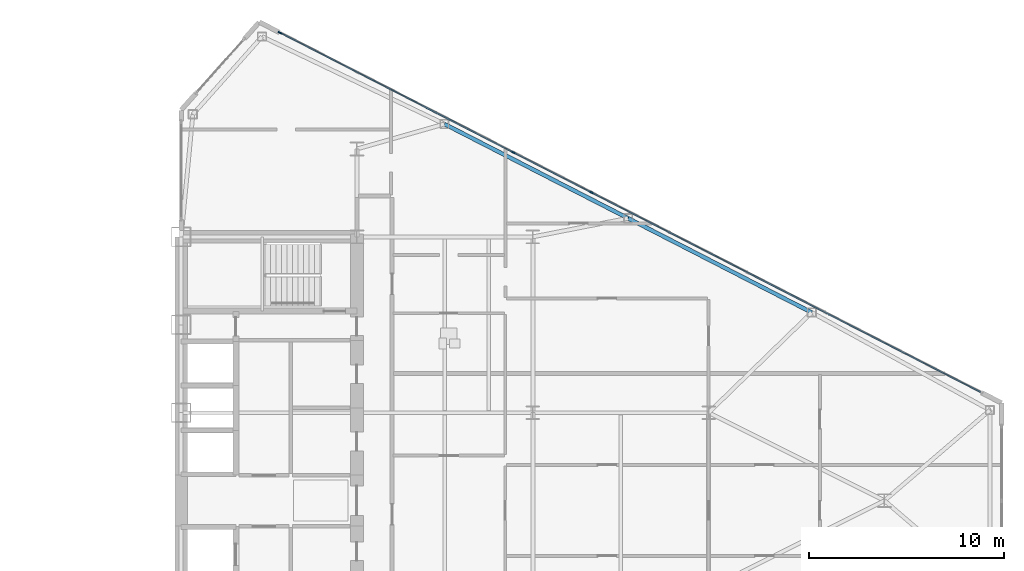
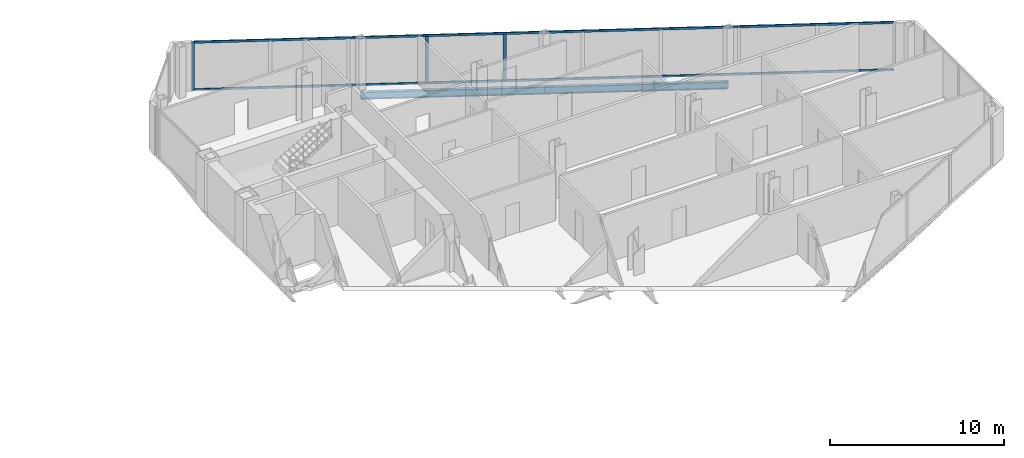
# One storey, part 12 of 24: 5 members, 2 beams, 1 element without a shape of its own.
"""IFC4 building model written with IfcOpenShell, lengths in metres."""

import ifcopenshell
import ifcopenshell.guid

model = None  # the IFC model being written
_history = None  # IfcOwnerHistory: only IFC2X3 demands one
_inside = {}  # id of a spatial element -> (the spatial element, [elements in it])
_under = {}  # id of a project, library or spatial element -> (it, [spatial elements below it])
_declared = {}  # id of a project -> (the project, [libraries it declares])
_typed = {}  # id of a type object -> (the type object, [elements of that type])
_made_of = {}  # id of a material, layer set ... -> (it, [elements and type objects made of it])


def new_model(schema):
    """Start an empty IFC model of exactly this schema.

    Asked for "IFC4X3", IfcOpenShell would pick the latest addendum, in which some entities
    have other attributes; the version numbers below select the first issue.
    IFC2X3 requires an IfcOwnerHistory on every rooted entity: one is made here for all.
    """
    global model, _history
    if schema == "IFC4X3":
        model = ifcopenshell.file(schema_version=(4, 3, 0, 0))
    else:
        model = ifcopenshell.file(schema=schema)
    _inside.clear()
    _under.clear()
    _declared.clear()
    _typed.clear()
    _made_of.clear()
    _history = None
    if model.schema == "IFC2X3":
        org = make("IfcOrganization", Name="unknown")
        user = make(
            "IfcPersonAndOrganization",
            ThePerson=make("IfcPerson", FamilyName="unknown"),
            TheOrganization=org,
        )
        app = make(
            "IfcApplication",
            ApplicationDeveloper=org,
            Version="unknown",
            ApplicationFullName="unknown",
            ApplicationIdentifier="unknown",
        )
        _history = make(
            "IfcOwnerHistory",
            OwningUser=user,
            OwningApplication=app,
            ChangeAction="ADDED",
            CreationDate=0,
        )
    return model


def make(cls, **values):
    """One entity of the class cls with the attributes given. An attribute that is None is left unset."""
    return model.create_entity(
        cls, **{name: value for name, value in values.items() if value is not None}
    )


def rooted(cls, **values):
    """An entity with a GlobalId (a new one), such as an element, a storey or a relation."""
    return make(cls, GlobalId=ifcopenshell.guid.new(), OwnerHistory=_history, **values)


def si_unit(unit_type, name, prefix=None):
    """IfcSIUnit, for example si_unit("LENGTHUNIT", "METRE", prefix="MILLI")."""
    return make("IfcSIUnit", UnitType=unit_type, Prefix=prefix, Name=name)


def assignment(units):
    """IfcUnitAssignment: the units of a project."""
    return None if units is None else make("IfcUnitAssignment", Units=units)


def point(xyz):
    """IfcCartesianPoint."""
    return None if xyz is None else make("IfcCartesianPoint", Coordinates=xyz)


def direction(xyz):
    """IfcDirection."""
    return None if xyz is None else make("IfcDirection", DirectionRatios=xyz)


def frame(location, z_axis=None, x_axis=None):
    """IfcAxis2Placement3D, a coordinate frame: its origin and axes. An axis left out is left unset."""
    return make(
        "IfcAxis2Placement3D",
        Location=point(location),
        Axis=direction(z_axis),
        RefDirection=direction(x_axis),
    )


def frame_2d(location, x_axis=None):
    """IfcAxis2Placement2D, a coordinate frame in the plane: its origin and x axis."""
    return make(
        "IfcAxis2Placement2D", Location=point(location), RefDirection=direction(x_axis)
    )


def origin():
    """The frame at (0, 0, 0) with its axes left unset."""
    return frame((0.0, 0.0, 0.0))


def origin_2d():
    """The frame at (0, 0) in the plane with its x axis left unset."""
    return frame_2d((0.0, 0.0))


def place(relative_to, where):
    """IfcLocalPlacement: puts the frame where relative to a parent placement (None: the world)."""
    return make(
        "IfcLocalPlacement", PlacementRelTo=relative_to, RelativePlacement=where
    )


def context(
    kind, dimensions, precision=None, world=None, true_north=None, identifier=None
):
    """IfcGeometricRepresentationContext, for example the 3D "Model" context."""
    return make(
        "IfcGeometricRepresentationContext",
        ContextIdentifier=identifier,
        ContextType=kind,
        CoordinateSpaceDimension=dimensions,
        Precision=precision,
        WorldCoordinateSystem=world,
        TrueNorth=true_north,
    )


def subcontext(parent, identifier, kind, view, scale=None):
    """IfcGeometricRepresentationSubContext, for example "Body" below "Model"."""
    return make(
        "IfcGeometricRepresentationSubContext",
        ContextIdentifier=identifier,
        ContextType=kind,
        ParentContext=parent,
        TargetScale=scale,
        TargetView=view,
    )


def project(units=None, contexts=None):
    """IfcProject with its units and contexts."""
    return rooted(
        "IfcProject",
        Name="project",
        RepresentationContexts=contexts,
        UnitsInContext=assignment(units),
    )


def spatial(cls, under=None, at=None, **own):
    """A site, building, storey or space (cls), placed at a placement, below another one or the project."""
    s = rooted(cls, ObjectPlacement=at, **own)
    if under is not None:
        _under.setdefault(under.id(), (under, []))[1].append(s)
    return s


def profile(cls, at=None, kind="AREA", **sizes):
    """A parametric profile (cls). Its sizes go by their IFC names, for example OverallWidth=200.0."""
    return make(cls, ProfileType=kind, Position=at, **sizes)


def rectangle(**sizes):
    """IfcRectangleProfileDef."""
    return profile("IfcRectangleProfileDef", **sizes)


def i_section(**sizes):
    """IfcIShapeProfileDef."""
    return profile("IfcIShapeProfileDef", **sizes)


def extrude(swept, where, along, depth):
    """IfcExtrudedAreaSolid: the profile swept, set in the frame where, extruded along a direction by depth."""
    return make(
        "IfcExtrudedAreaSolid",
        SweptArea=swept,
        Position=where,
        ExtrudedDirection=direction(along),
        Depth=depth,
    )


def shape(context_of_items, identifier, shape_type, items):
    """IfcShapeRepresentation: the items that make up one representation, for example the "Body"."""
    return make(
        "IfcShapeRepresentation",
        ContextOfItems=context_of_items,
        RepresentationIdentifier=identifier,
        RepresentationType=shape_type,
        Items=items,
    )


def source(mapping_origin, context_of_items, identifier, shape_type, items):
    """IfcRepresentationMap: a shape defined once, which mapped items show again and again."""
    return make(
        "IfcRepresentationMap",
        MappingOrigin=mapping_origin,
        MappedRepresentation=shape(context_of_items, identifier, shape_type, items),
    )


def transform(
    local_origin,
    x_axis=None,
    y_axis=None,
    z_axis=None,
    scale=None,
    scale2=None,
    scale3=None,
    uniform=True,
):
    """IfcCartesianTransformationOperator3D, or its non-uniform kind. x_axis, y_axis, z_axis: its Axis1, 2, 3."""
    if uniform:
        return make(
            "IfcCartesianTransformationOperator3D",
            Axis1=direction(x_axis),
            Axis2=direction(y_axis),
            LocalOrigin=point(local_origin),
            Scale=scale,
            Axis3=direction(z_axis),
        )
    return make(
        "IfcCartesianTransformationOperator3DnonUniform",
        Axis1=direction(x_axis),
        Axis2=direction(y_axis),
        LocalOrigin=point(local_origin),
        Scale=scale,
        Axis3=direction(z_axis),
        Scale2=scale2,
        Scale3=scale3,
    )


def mapped(mapping_source, mapping_target):
    """IfcMappedItem: shows the shape of a source again, moved by a transform."""
    return make(
        "IfcMappedItem", MappingSource=mapping_source, MappingTarget=mapping_target
    )


def material(Name=None, Category=None):
    """IfcMaterial."""
    return make("IfcMaterial", Name=Name, Category=Category)


def layer(
    of_material, thickness, ventilated=None, Name=None, Category=None, Priority=None
):
    """IfcMaterialLayer: one layer of a wall or slab, of a material (None: an air gap)."""
    return make(
        "IfcMaterialLayer",
        Material=of_material,
        LayerThickness=thickness,
        IsVentilated=ventilated,
        Name=Name,
        Category=Category,
        Priority=Priority,
    )


def layer_set(layers, Name=None):
    """IfcMaterialLayerSet."""
    return make("IfcMaterialLayerSet", MaterialLayers=layers, LayerSetName=Name)


def material_profile(
    of_material, cross_section, Name=None, Category=None, Priority=None
):
    """IfcMaterialProfile: a cross section and its material."""
    return make(
        "IfcMaterialProfile",
        Name=Name,
        Material=of_material,
        Profile=cross_section,
        Priority=Priority,
        Category=Category,
    )


def profile_set(profiles, Name=None, composite=None):
    """IfcMaterialProfileSet."""
    return make(
        "IfcMaterialProfileSet",
        Name=Name,
        MaterialProfiles=profiles,
        CompositeProfile=composite,
    )


def made_of(thing, what):
    """Note that an element or type object is made of a material, layer set ...; save() writes the relation."""
    if what is not None:
        _made_of.setdefault(what.id(), (what, []))[1].append(thing)
    return thing


def type_object(cls, material=None, **own):
    """A type object (cls), such as IfcWallType, which elements share."""
    return made_of(rooted(cls, **own), material)


def type_shapes(of_type, sources):
    """Give a type object the sources (RepresentationMaps) that its elements show as mapped items."""
    of_type.RepresentationMaps = sources


def element(
    cls,
    number,
    at=None,
    inside=None,
    cuts=None,
    type_object=None,
    material=None,
    context=None,
    identifier="Body",
    shape_type=None,
    held_by="IfcProductDefinitionShape",
    body=None,
    shapes=None,
    **own,
):
    """One element of the class cls, such as IfcWall. Its Tag is "e" and its number.

    at: its placement. inside: the storey or other place that contains it. cuts: it is an
    opening in that element (IfcRelVoidsElement). A single representation is given by context,
    identifier, shape_type and body (its items); several are given by shapes. held_by: the class
    of the entity that holds the representations. save() writes the other relations.
    """
    e = rooted(cls, Tag="e%d" % number, ObjectPlacement=at, **own)
    if body is not None:
        shapes = [shape(context, identifier, shape_type, body)]
    if shapes is not None:
        e.Representation = make(held_by, Representations=shapes)
    if inside is not None:
        _inside.setdefault(inside.id(), (inside, []))[1].append(e)
    if cuts is not None:
        rooted(
            "IfcRelVoidsElement", RelatingBuildingElement=cuts, RelatedOpeningElement=e
        )
    if type_object is not None:
        _typed.setdefault(type_object.id(), (type_object, []))[1].append(e)
    return made_of(e, material)


def aggregate(whole, parts):
    """IfcRelAggregates: a whole, such as a stair, and the parts it consists of."""
    return rooted("IfcRelAggregates", RelatingObject=whole, RelatedObjects=parts)


def save(model, path):
    """Write the relations noted so far, then the file.

    IfcRelAggregates (storeys below a building ...), IfcRelContainedInSpatialStructure (elements
    in a storey), IfcRelDefinesByType, IfcRelAssociatesMaterial and IfcRelDeclares: one each for
    every whole, place, type object, material and project.
    """
    for whole, parts in _under.values():
        aggregate(whole, parts)
    for where, things in _inside.values():
        rooted(
            "IfcRelContainedInSpatialStructure",
            RelatedElements=things,
            RelatingStructure=where,
        )
    for kind, things in _typed.values():
        rooted("IfcRelDefinesByType", RelatedObjects=things, RelatingType=kind)
    for what, things in _made_of.values():
        rooted("IfcRelAssociatesMaterial", RelatedObjects=things, RelatingMaterial=what)
    for by, libraries in _declared.values():
        rooted("IfcRelDeclares", RelatingContext=by, RelatedDefinitions=libraries)
    model.write(path)


model = new_model("IFC4")

# Units and contexts
model_context = context("Model", 3, precision=1e-05, world=origin(), true_north=direction((0.0, 1.0)))
body_context = subcontext(model_context, "Body", "Model", "MODEL_VIEW")
ifc_project = project(units=[si_unit("LENGTHUNIT", "METRE"), si_unit("AREAUNIT", "SQUARE_METRE"), si_unit("VOLUMEUNIT", "CUBIC_METRE"), si_unit("PLANEANGLEUNIT", "RADIAN"), si_unit("MASSUNIT", "GRAM", prefix="KILO")], contexts=[model_context])

# Site, building, storey
site_placement = place(None, origin())
site = spatial("IfcSite", under=ifc_project, at=site_placement, CompositionType="ELEMENT")
building_placement = place(site_placement, origin())
building = spatial("IfcBuilding", under=site, at=building_placement, Name="Seokmaru Belvedere", CompositionType="ELEMENT")
storey_placement = place(building_placement, frame((0.0, 0.0, 114.0)))
storey = spatial("IfcBuildingStorey", under=building, at=storey_placement, Name="L30", CompositionType="ELEMENT", Elevation=114.0)

# Beams
ifc_material_1 = material(Name="Steel SM355 (355 MPa)", Category="steel")
ifc_material_profile_1 = material_profile(ifc_material_1, i_section(OverallWidth=0.199951171875, OverallDepth=0.5, WebThickness=0.010009765625, FlangeThickness=0.01611328125, at=origin_2d()), Name="H-500x200x10x16")
ifc_profile_set_1 = profile_set([ifc_material_profile_1], Name="Steel SM355 (355 MPa)")
beam_type = type_object("IfcBeamType", Name="Perimeter Spandrel Beam H-500", PredefinedType="SPANDREL", material=ifc_profile_set_1)
shared_shape_1 = source(origin(), body_context, "Body", "SweptSolid", [
    extrude(i_section(OverallWidth=0.199951171875, OverallDepth=0.5, WebThickness=0.010009765625, FlangeThickness=0.01611328125, at=origin_2d()), origin(), (0.0, 0.0, 1.0), 10.56689453125),
])
type_shapes(beam_type, [shared_shape_1])
for number, where, z_axis, x_axis, name in (
    (1, (40.975830078125, 19.277587890625, -0.469970703125), (0.889701972758, -0.45654178305, 0.0), (0.45654178305, 0.889701972758, 0.0), "L30 E Faceted Flank Spandrel N-2"),
    (2, (50.377197265625, 14.453369140625, -0.469970703125), (0.889692588006, -0.456560071455, 0.0), (0.456560071455, 0.889692588006, 0.0), "L30 E Faceted Flank Spandrel N-3"),
):
    element("IfcBeam", number, at=place(storey_placement, frame(where, z_axis=z_axis, x_axis=x_axis)), inside=storey, type_object=beam_type, Name=name, PredefinedType="SPANDREL", context=body_context, shape_type="MappedRepresentation", body=[
        mapped(shared_shape_1, transform((0.0, 0.0, 0.0), scale=1.0)),
    ])

# Curtain wall, members
ifc_material_2 = material(Name="Bronze Triple Insulating Glass", Category="glass")
ifc_layer = layer(ifc_material_2, 0.195068359375)
ifc_layer_set = layer_set([ifc_layer], Name="Bronze Triple Insulating Glass")
curtain_wall_type = type_object("IfcCurtainWallType", Name="Sky-Lobby and Mid-Rise Curtain Wall System CW-4", PredefinedType="NOTDEFINED", material=ifc_layer_set)
curtain_wall_placement = place(storey_placement, origin())
curtain_wall = element("IfcCurtainWall", 3, at=curtain_wall_placement, inside=storey, type_object=curtain_wall_type, Name="L30 Curtain Wall EF3", PredefinedType="NOTDEFINED")
ifc_material_3 = material(Name="Anodised Bronze Aluminium", Category="aluminium")
ifc_material_profile_2 = material_profile(ifc_material_3, rectangle(XDim=0.070068359375, YDim=0.195068359375, at=origin_2d()), Name="CW-M-70x195")
ifc_profile_set_2 = profile_set([ifc_material_profile_2], Name="Anodised Bronze Aluminium")
member_type_1 = type_object("IfcMemberType", Name="Bronze Unitised Mullion 70x195", PredefinedType="MULLION", material=ifc_profile_set_2)
shared_shape_2 = source(origin(), body_context, "Body", "SweptSolid", [
    extrude(rectangle(XDim=0.070068359375, YDim=0.195068359375, at=origin_2d()), origin(), (0.0, 0.0, 1.0), 3.3798828125),
])
member_1_placement = place(storey_placement, frame((32.55419921875, 23.958984375, 0.0), z_axis=(0.0, 0.0, 1.0), x_axis=(-0.456554528263, -0.889695432562, 0.0)))
member_1 = element("IfcMember", 4, at=member_1_placement, type_object=member_type_1, Name="CW:L30:EF3 Mullion 10", PredefinedType="MULLION", context=body_context, shape_type="MappedRepresentation", body=[
    mapped(shared_shape_2, transform((0.0, 0.0, 0.0), scale=1.0)),
])
shared_shape_3 = source(origin(), body_context, "Body", "SweptSolid", [
    extrude(rectangle(XDim=0.070068359375, YDim=0.195068359375, at=origin_2d()), origin(), (0.0, 0.0, 1.0), 3.25),
])
type_shapes(member_type_1, [shared_shape_2, shared_shape_3])
member_2_placement = place(storey_placement, frame((48.502685546875, 15.77490234375, 0.06494140625), z_axis=(0.0, 0.0, 1.0), x_axis=(-0.456554528263, -0.889695432562, 0.0)))
member_2 = element("IfcMember", 5, at=member_2_placement, type_object=member_type_1, Name="CW:L30:EF3 Mullion 6", PredefinedType="MULLION", context=body_context, shape_type="MappedRepresentation", body=[
    mapped(shared_shape_3, transform((0.0, 0.0, 0.0), scale=1.0)),
])
member_3_placement = place(storey_placement, frame((44.5078125, 17.824951171875, 0.06494140625), z_axis=(0.0, 0.0, 1.0), x_axis=(-0.456554528263, -0.889695432562, 0.0)))
member_3 = element("IfcMember", 6, at=member_3_placement, type_object=member_type_1, Name="CW:L30:EF3 Mullion 7", PredefinedType="MULLION", context=body_context, shape_type="MappedRepresentation", body=[
    mapped(shared_shape_3, transform((0.0, 0.0, 0.0), scale=1.0)),
])
ifc_material_profile_3 = material_profile(ifc_material_3, rectangle(XDim=0.06494140625, YDim=0.14990234375, at=origin_2d()), Name="CW-T-65x150")
ifc_profile_set_3 = profile_set([ifc_material_profile_3], Name="Anodised Bronze Aluminium")
member_type_2 = type_object("IfcMemberType", Name="Bronze Unitised Transom 65x150", PredefinedType="USERDEFINED", material=ifc_profile_set_3)
shared_shape_4 = source(origin(), body_context, "Body", "SweptSolid", [
    extrude(rectangle(XDim=0.06494140625, YDim=0.14990234375, at=origin_2d()), origin(), (0.0, 0.0, 1.0), 40.271240234375),
])
type_shapes(member_type_2, [shared_shape_4])
member_4_placement = place(storey_placement, frame((68.41455078125, 5.556884765625, 0.032470703125), z_axis=(-0.889693089107, 0.456559094965, 0.0), x_axis=(-0.456559094965, -0.889693089107, 0.0)))
member_4 = element("IfcMember", 7, at=member_4_placement, type_object=member_type_2, Name="CW:L30:EF3 Continuous Transom 1", ObjectType="TRANSOM", PredefinedType="USERDEFINED", context=body_context, shape_type="MappedRepresentation", body=[
    mapped(shared_shape_4, transform((0.0, 0.0, 0.0), scale=1.0)),
])
member_5_placement = place(storey_placement, frame((68.41455078125, 5.556884765625, 3.347412109375), z_axis=(-0.889693089107, 0.456559094965, 0.0), x_axis=(-0.456559094965, -0.889693089107, 0.0)))
member_5 = element("IfcMember", 8, at=member_5_placement, type_object=member_type_2, Name="CW:L30:EF3 Continuous Transom 2", ObjectType="TRANSOM", PredefinedType="USERDEFINED", context=body_context, shape_type="MappedRepresentation", body=[
    mapped(shared_shape_4, transform((0.0, 0.0, 0.0), scale=1.0)),
])
aggregate(curtain_wall, [member_2, member_3, member_1, member_4, member_5])

save(model, "model.ifc")
